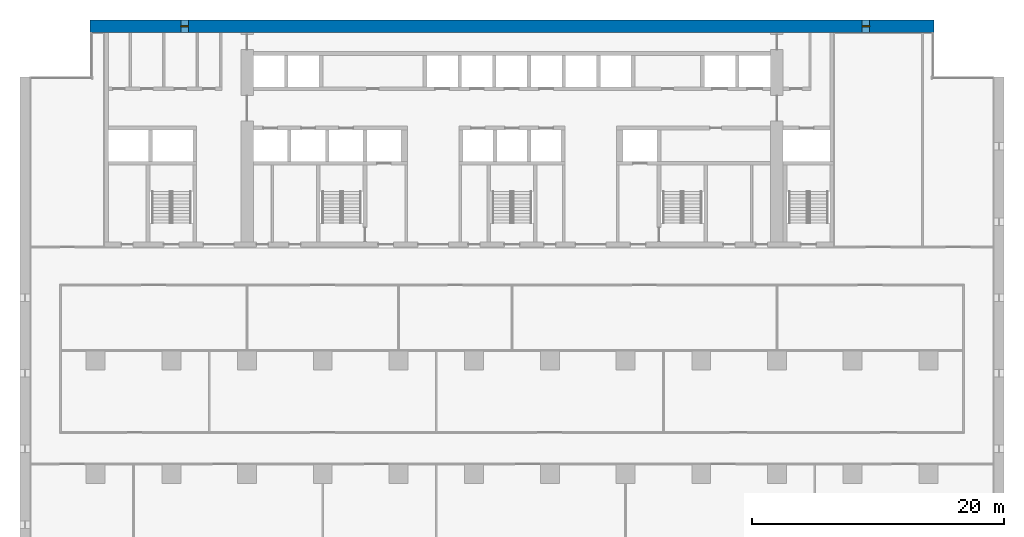
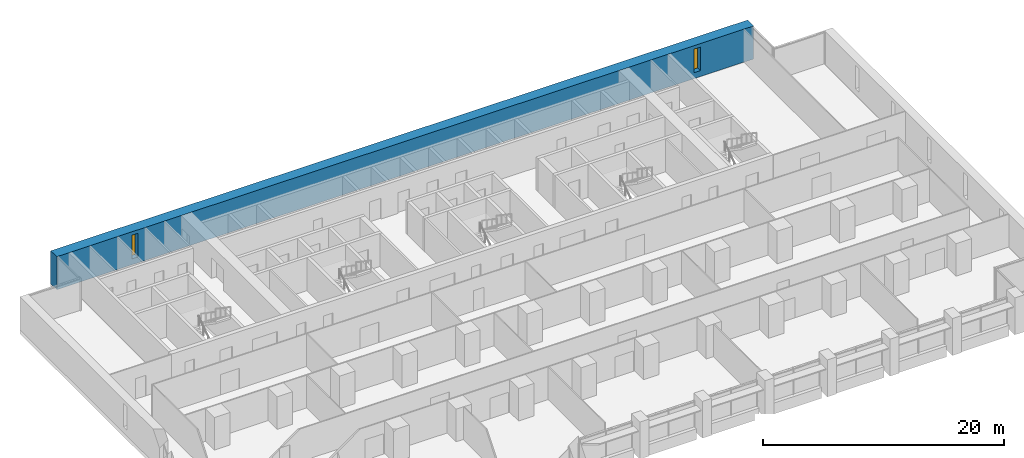
# One storey, part 12 of 18: 2 windows, 1 wall, 2 openings.
"""IFC4 building model written with IfcOpenShell, lengths in metres."""

from ifc_helpers import new_model, si_unit, direction, frame, frame_2d, origin, place, context, subcontext, project, spatial, rectangle, extrude, material, layer, layer_set, type_object, element, fill, save


model = new_model("IFC4")

# Units and contexts
model_context = context("Model", 3, precision=1e-05, world=origin(), true_north=direction((0.0, 1.0)))
body_context = subcontext(model_context, "Body", "Model", "MODEL_VIEW")
ifc_project = project(units=[si_unit("LENGTHUNIT", "METRE"), si_unit("AREAUNIT", "SQUARE_METRE"), si_unit("VOLUMEUNIT", "CUBIC_METRE"), si_unit("PLANEANGLEUNIT", "RADIAN"), si_unit("MASSUNIT", "GRAM", prefix="KILO")], contexts=[model_context])

# Site, building, storey
site_placement = place(None, origin())
site = spatial("IfcSite", under=ifc_project, at=site_placement, CompositionType="ELEMENT")
building_placement = place(site_placement, origin())
building = spatial("IfcBuilding", under=site, at=building_placement, Name="Calvaro Tower", CompositionType="ELEMENT")
storey_placement = place(building_placement, frame((0.0, 0.0, 78.75)))
storey = spatial("IfcBuildingStorey", under=building, at=storey_placement, Name="L19", CompositionType="ELEMENT", Elevation=78.75)

# Wall, openings, windows
ifc_material_1 = material(Name="Concrete C80/95", Category="concrete")
ifc_layer = layer(ifc_material_1, 1.0)
ifc_layer_set = layer_set([ifc_layer], Name="Concrete C80/95")
wall_type = type_object("IfcWallType", Name="Rear core wall 1000 C80/95", PredefinedType="SHEAR", material=ifc_layer_set)
wall_placement = place(storey_placement, frame((5.550048828125, 45.5, 0.0), z_axis=(0.0, 0.0, 1.0), x_axis=(1.0, 0.0, 0.0)))
wall = element("IfcWall", 1, at=wall_placement, inside=storey, type_object=wall_type, Name="North core wall", PredefinedType="SHEAR", context=body_context, shape_type="SweptSolid", body=[
    extrude(rectangle(XDim=66.89990234375, YDim=1.0, at=frame_2d((33.449951171875, 0.0))), origin(), (0.0, 0.0, 1.0), 3.35009765625),
])
opening_1_placement = place(wall_placement, frame((7.199951171875, 0.0, 0.60009765625)))
opening_1 = element("IfcOpeningElement", 2, at=opening_1_placement, cuts=wall, Name="Opening WN02", PredefinedType="OPENING", context=body_context, shape_type="SweptSolid", body=[
    extrude(rectangle(XDim=0.60009765625, YDim=2.39990234375, at=frame_2d((0.300048828125, 1.199951171875))), frame((0.0, 0.510009765625, 0.0), z_axis=(0.0, -1.0, 0.0), x_axis=(1.0, 0.0, 0.0)), (0.0, 0.0, 1.0), 1.02001953125),
])
opening_2_placement = place(wall_placement, frame((61.199951171875, 0.0, 0.60009765625)))
opening_2 = element("IfcOpeningElement", 3, at=opening_2_placement, cuts=wall, Name="Opening WN11", PredefinedType="OPENING", context=body_context, shape_type="SweptSolid", body=[
    extrude(rectangle(XDim=0.60009765625, YDim=2.39990234375, at=frame_2d((0.300048828125, 1.199951171875))), frame((0.0, 0.510009765625, 0.0), z_axis=(0.0, -1.0, 0.0), x_axis=(1.0, 0.0, 0.0)), (0.0, 0.0, 1.0), 1.02001953125),
])
ifc_material_2 = material(Name="Glass", Category="glass")
window_type = type_object("IfcWindowType", Name="Slit window 600 x 2400", PartitioningType="SINGLE_PANEL", PredefinedType="WINDOW", material=ifc_material_2)
window_1_placement = place(opening_1_placement, origin())
window_1 = element("IfcWindow", 4, at=window_1_placement, inside=storey, type_object=window_type, Name="Window WN02", OverallHeight=2.39990234375, OverallWidth=0.60009765625, PartitioningType="SINGLE_PANEL", PredefinedType="WINDOW", context=body_context, shape_type="SweptSolid", body=[
    extrude(rectangle(XDim=0.60009765625, YDim=2.39990234375, at=frame_2d((0.300048828125, 1.199951171875))), frame((0.0, 0.030029296875, 0.0), z_axis=(0.0, -1.0, 0.0), x_axis=(1.0, 0.0, 0.0)), (0.0, 0.0, 1.0), 0.06005859375),
])
fill(opening_1, window_1)
window_2_placement = place(opening_2_placement, origin())
window_2 = element("IfcWindow", 5, at=window_2_placement, inside=storey, type_object=window_type, Name="Window WN11", OverallHeight=2.39990234375, OverallWidth=0.60009765625, PartitioningType="SINGLE_PANEL", PredefinedType="WINDOW", context=body_context, shape_type="SweptSolid", body=[
    extrude(rectangle(XDim=0.60009765625, YDim=2.39990234375, at=frame_2d((0.300048828125, 1.199951171875))), frame((0.0, 0.030029296875, 0.0), z_axis=(0.0, -1.0, 0.0), x_axis=(1.0, 0.0, 0.0)), (0.0, 0.0, 1.0), 0.06005859375),
])
fill(opening_2, window_2)

save(model, "model.ifc")
